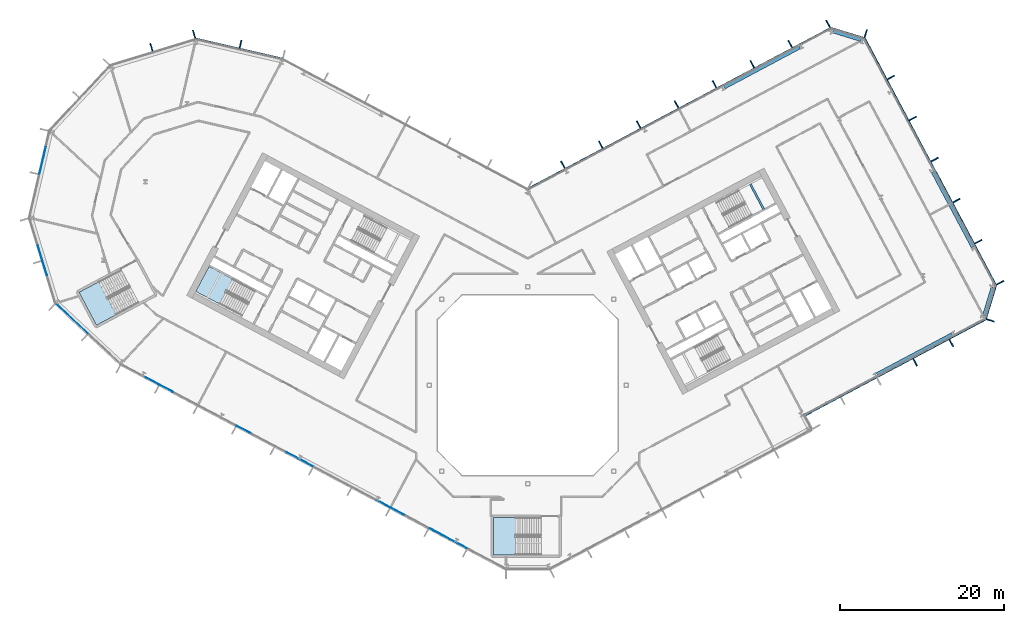
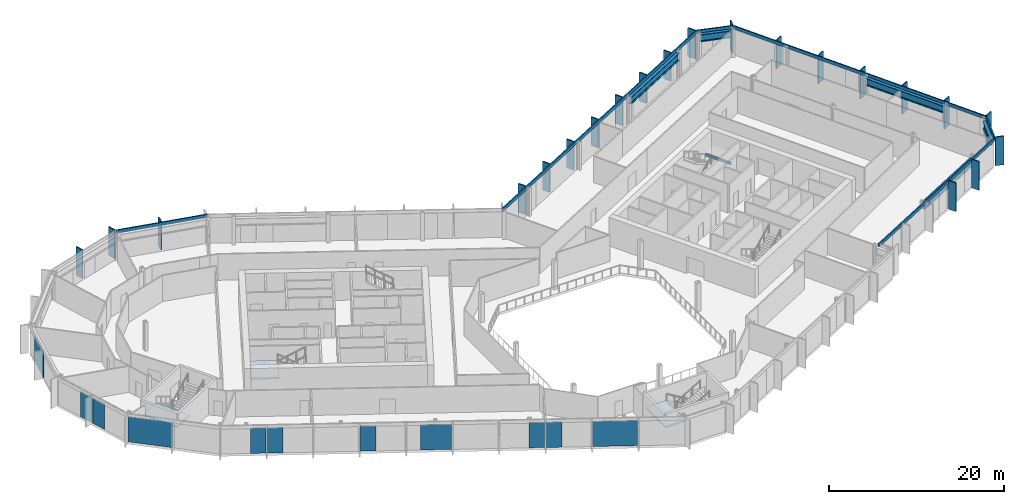
# One storey, part 10 of 28: 27 members, 11 plates, 6 beams, 3 slabs, 14 elements without a shape of their own.
"""IFC4 building model written with IfcOpenShell, lengths in metres."""

from ifc_helpers import new_model, si_unit, direction, frame, origin, origin_2d, place, context, subcontext, project, spatial, polyline, rectangle, i_section, outline, extrude, material, layer, layer_set, material_profile, profile_set, type_object, element, aggregate, save


model = new_model("IFC4")

# Units and contexts
model_context = context("Model", 3, precision=1e-05, world=origin(), true_north=direction((0.0, 1.0)))
body_context = subcontext(model_context, "Body", "Model", "MODEL_VIEW")
ifc_project = project(units=[si_unit("LENGTHUNIT", "METRE"), si_unit("AREAUNIT", "SQUARE_METRE"), si_unit("VOLUMEUNIT", "CUBIC_METRE"), si_unit("PLANEANGLEUNIT", "RADIAN"), si_unit("MASSUNIT", "GRAM", prefix="KILO")], contexts=[model_context])

# Site, building, storey
site_placement = place(None, origin())
site = spatial("IfcSite", under=ifc_project, at=site_placement, CompositionType="ELEMENT")
building_placement = place(site_placement, origin())
building = spatial("IfcBuilding", under=site, at=building_placement, Name="Cormorant Relay Tower", CompositionType="ELEMENT")
storey_placement = place(building_placement, frame((0.0, 0.0, 146.199951171875)))
storey = spatial("IfcBuildingStorey", under=building, at=storey_placement, Name="L30", CompositionType="ELEMENT", Elevation=146.199951171875)

# Curtain wall, members
ifc_material_1 = material(Name="Aluminium 6063-T6 anodised bronze", Category="aluminium")
ifc_layer_1 = layer(ifc_material_1, 0.199951171875)
ifc_layer_set_1 = layer_set([ifc_layer_1], Name="CW1 unitised bronze curtain wall with vertical fins")
curtain_wall_type = type_object("IfcCurtainWallType", Name="CW1 unitised bronze curtain wall with vertical fins", PredefinedType="NOTDEFINED", material=ifc_layer_set_1)
curtain_wall_1_placement = place(storey_placement, origin())
curtain_wall_1 = element("IfcCurtainWall", 1, at=curtain_wall_1_placement, inside=storey, type_object=curtain_wall_type, Name="CW1 curtain wall 4", PredefinedType="NOTDEFINED")
ifc_material_2 = material(Name="Aluminium 6063-T6 anodised bronze", Category="aluminium")
ifc_material_profile_1 = material_profile(ifc_material_2, rectangle(XDim=0.14990234375, YDim=1.0, at=origin_2d()), Name="AL 150x1000")
ifc_profile_set_1 = profile_set([ifc_material_profile_1], Name="Aluminium 6063-T6 anodised bronze")
member_type_1 = type_object("IfcMemberType", Name="CW1 bronze fin mullion 150 x 1000", PredefinedType="MULLION", material=ifc_profile_set_1)
member_1_placement = place(storey_placement, frame((47.21533203125, 2.793212890625, 0.0), z_axis=(0.0, 0.0, 1.0), x_axis=(0.882947592859, 0.469471562786, 0.0)))
member_1 = element("IfcMember", 2, at=member_1_placement, type_object=member_type_1, Name="CW1 fin 4.4", PredefinedType="MULLION", context=body_context, shape_type="SweptSolid", body=[
    extrude(rectangle(XDim=0.14990234375, YDim=1.0, at=origin_2d()), origin(), (0.0, 0.0, 1.0), 4.0),
])
member_2_placement = place(storey_placement, frame((51.630126953125, 5.140625, 0.0), z_axis=(0.0, 0.0, 1.0), x_axis=(0.882947592859, 0.469471562786, 0.0)))
member_2 = element("IfcMember", 3, at=member_2_placement, type_object=member_type_1, Name="CW1 fin 4.5", PredefinedType="MULLION", context=body_context, shape_type="SweptSolid", body=[
    extrude(rectangle(XDim=0.14990234375, YDim=1.0, at=origin_2d()), origin(), (0.0, 0.0, 1.0), 4.0),
])

# Curtain wall, member
curtain_wall_2_placement = place(storey_placement, origin())
curtain_wall_2 = element("IfcCurtainWall", 4, at=curtain_wall_2_placement, inside=storey, type_object=curtain_wall_type, Name="CW1 curtain wall 5", PredefinedType="NOTDEFINED")
member_3_placement = place(storey_placement, frame((56.385498046875, 7.9013671875, 0.0), z_axis=(0.0, 0.0, 1.0), x_axis=(0.292371704723, 0.956304755963, 0.0)))
member_3 = element("IfcMember", 5, at=member_3_placement, type_object=member_type_1, Name="CW1 fin 5.1", PredefinedType="MULLION", context=body_context, shape_type="SweptSolid", body=[
    extrude(rectangle(XDim=0.14990234375, YDim=1.0, at=origin_2d()), origin(), (0.0, 0.0, 1.0), 4.0),
])

# Curtain wall, members
curtain_wall_3_placement = place(storey_placement, origin())
curtain_wall_3 = element("IfcCurtainWall", 6, at=curtain_wall_3_placement, inside=storey, type_object=curtain_wall_type, Name="CW1 curtain wall 6", PredefinedType="NOTDEFINED")
member_4_placement = place(storey_placement, frame((57.57470703125, 12.491943359375, 0.0), z_axis=(0.0, 0.0, 1.0), x_axis=(-0.469471562786, 0.882947592859, 0.0)))
member_4 = element("IfcMember", 7, at=member_4_placement, type_object=member_type_1, Name="CW1 fin 6.1", PredefinedType="MULLION", context=body_context, shape_type="SweptSolid", body=[
    extrude(rectangle(XDim=0.14990234375, YDim=1.0, at=origin_2d()), origin(), (0.0, 0.0, 1.0), 4.0),
])
member_5_placement = place(storey_placement, frame((54.914306640625, 17.4951171875, 0.0), z_axis=(0.0, 0.0, 1.0), x_axis=(-0.469471562786, 0.882947592859, 0.0)))
member_5 = element("IfcMember", 8, at=member_5_placement, type_object=member_type_1, Name="CW1 fin 6.2", PredefinedType="MULLION", context=body_context, shape_type="SweptSolid", body=[
    extrude(rectangle(XDim=0.14990234375, YDim=1.0, at=origin_2d()), origin(), (0.0, 0.0, 1.0), 4.0),
])
member_6_placement = place(storey_placement, frame((52.25390625, 22.49853515625, 0.0), z_axis=(0.0, 0.0, 1.0), x_axis=(-0.469471562786, 0.882947592859, 0.0)))
member_6 = element("IfcMember", 9, at=member_6_placement, type_object=member_type_1, Name="CW1 fin 6.3", PredefinedType="MULLION", context=body_context, shape_type="SweptSolid", body=[
    extrude(rectangle(XDim=0.14990234375, YDim=1.0, at=origin_2d()), origin(), (0.0, 0.0, 1.0), 4.0),
])
member_7_placement = place(storey_placement, frame((49.59375, 27.501953125, 0.0), z_axis=(0.0, 0.0, 1.0), x_axis=(-0.469471562786, 0.882947592859, 0.0)))
member_7 = element("IfcMember", 10, at=member_7_placement, type_object=member_type_1, Name="CW1 fin 6.4", PredefinedType="MULLION", context=body_context, shape_type="SweptSolid", body=[
    extrude(rectangle(XDim=0.14990234375, YDim=1.0, at=origin_2d()), origin(), (0.0, 0.0, 1.0), 4.0),
])
member_8_placement = place(storey_placement, frame((46.933349609375, 32.50537109375, 0.0), z_axis=(0.0, 0.0, 1.0), x_axis=(-0.469471562786, 0.882947592859, 0.0)))
member_8 = element("IfcMember", 11, at=member_8_placement, type_object=member_type_1, Name="CW1 fin 6.5", PredefinedType="MULLION", context=body_context, shape_type="SweptSolid", body=[
    extrude(rectangle(XDim=0.14990234375, YDim=1.0, at=origin_2d()), origin(), (0.0, 0.0, 1.0), 4.0),
])
member_9_placement = place(storey_placement, frame((44.27294921875, 37.5087890625, 0.0), z_axis=(0.0, 0.0, 1.0), x_axis=(-0.469471562786, 0.882947592859, 0.0)))
member_9 = element("IfcMember", 12, at=member_9_placement, type_object=member_type_1, Name="CW1 fin 6.6", PredefinedType="MULLION", context=body_context, shape_type="SweptSolid", body=[
    extrude(rectangle(XDim=0.14990234375, YDim=1.0, at=origin_2d()), origin(), (0.0, 0.0, 1.0), 4.0),
])

# Curtain wall, member
curtain_wall_4_placement = place(storey_placement, origin())
curtain_wall_4 = element("IfcCurtainWall", 13, at=curtain_wall_4_placement, inside=storey, type_object=curtain_wall_type, Name="CW1 curtain wall 7", PredefinedType="NOTDEFINED")
member_10_placement = place(storey_placement, frame((41.19921875, 42.852783203125, 0.0), z_axis=(0.0, 0.0, 1.0), x_axis=(-0.956304755963, 0.292371704723, 0.0)))
member_10 = element("IfcMember", 14, at=member_10_placement, type_object=member_type_1, Name="CW1 fin 7.1", PredefinedType="MULLION", context=body_context, shape_type="SweptSolid", body=[
    extrude(rectangle(XDim=0.14990234375, YDim=1.0, at=origin_2d()), origin(), (0.0, 0.0, 1.0), 4.0),
])

# Curtain wall, members
curtain_wall_5_placement = place(storey_placement, origin())
curtain_wall_5 = element("IfcCurtainWall", 15, at=curtain_wall_5_placement, inside=storey, type_object=curtain_wall_type, Name="CW1 curtain wall 8", PredefinedType="NOTDEFINED")
member_11_placement = place(storey_placement, frame((36.608642578125, 44.0419921875, 0.0), z_axis=(0.0, 0.0, 1.0), x_axis=(-0.882947592859, -0.469471562786, 0.0)))
member_11 = element("IfcMember", 16, at=member_11_placement, type_object=member_type_1, Name="CW1 fin 8.1", PredefinedType="MULLION", context=body_context, shape_type="SweptSolid", body=[
    extrude(rectangle(XDim=0.14990234375, YDim=1.0, at=origin_2d()), origin(), (0.0, 0.0, 1.0), 4.0),
])
member_12_placement = place(storey_placement, frame((31.991455078125, 41.5869140625, 0.0), z_axis=(0.0, 0.0, 1.0), x_axis=(-0.882947592859, -0.469471562786, 0.0)))
member_12 = element("IfcMember", 17, at=member_12_placement, type_object=member_type_1, Name="CW1 fin 8.2", PredefinedType="MULLION", context=body_context, shape_type="SweptSolid", body=[
    extrude(rectangle(XDim=0.14990234375, YDim=1.0, at=origin_2d()), origin(), (0.0, 0.0, 1.0), 4.0),
])
member_13_placement = place(storey_placement, frame((27.37451171875, 39.132080078125, 0.0), z_axis=(0.0, 0.0, 1.0), x_axis=(-0.882947592859, -0.469471562786, 0.0)))
member_13 = element("IfcMember", 18, at=member_13_placement, type_object=member_type_1, Name="CW1 fin 8.3", PredefinedType="MULLION", context=body_context, shape_type="SweptSolid", body=[
    extrude(rectangle(XDim=0.14990234375, YDim=1.0, at=origin_2d()), origin(), (0.0, 0.0, 1.0), 4.0),
])
member_14_placement = place(storey_placement, frame((22.757080078125, 36.677001953125, 0.0), z_axis=(0.0, 0.0, 1.0), x_axis=(-0.882947592859, -0.469471562786, 0.0)))
member_14 = element("IfcMember", 19, at=member_14_placement, type_object=member_type_1, Name="CW1 fin 8.4", PredefinedType="MULLION", context=body_context, shape_type="SweptSolid", body=[
    extrude(rectangle(XDim=0.14990234375, YDim=1.0, at=origin_2d()), origin(), (0.0, 0.0, 1.0), 4.0),
])
member_15_placement = place(storey_placement, frame((18.139892578125, 34.221923828125, 0.0), z_axis=(0.0, 0.0, 1.0), x_axis=(-0.882947592859, -0.469471562786, 0.0)))
member_15 = element("IfcMember", 20, at=member_15_placement, type_object=member_type_1, Name="CW1 fin 8.5", PredefinedType="MULLION", context=body_context, shape_type="SweptSolid", body=[
    extrude(rectangle(XDim=0.14990234375, YDim=1.0, at=origin_2d()), origin(), (0.0, 0.0, 1.0), 4.0),
])
member_16_placement = place(storey_placement, frame((13.52294921875, 31.76708984375, 0.0), z_axis=(0.0, 0.0, 1.0), x_axis=(-0.882947592859, -0.469471562786, 0.0)))
member_16 = element("IfcMember", 21, at=member_16_placement, type_object=member_type_1, Name="CW1 fin 8.6", PredefinedType="MULLION", context=body_context, shape_type="SweptSolid", body=[
    extrude(rectangle(XDim=0.14990234375, YDim=1.0, at=origin_2d()), origin(), (0.0, 0.0, 1.0), 4.0),
])
member_17_placement = place(storey_placement, frame((8.90576171875, 29.31201171875, 0.0), z_axis=(0.0, 0.0, 1.0), x_axis=(-0.882947592859, -0.469471562786, 0.0)))
member_17 = element("IfcMember", 22, at=member_17_placement, type_object=member_type_1, Name="CW1 fin 8.7", PredefinedType="MULLION", context=body_context, shape_type="SweptSolid", body=[
    extrude(rectangle(XDim=0.14990234375, YDim=1.0, at=origin_2d()), origin(), (0.0, 0.0, 1.0), 4.0),
])
member_18_placement = place(storey_placement, frame((4.28857421875, 26.85693359375, 0.0), z_axis=(0.0, 0.0, 1.0), x_axis=(-0.882947592859, -0.469471562786, 0.0)))
member_18 = element("IfcMember", 23, at=member_18_placement, type_object=member_type_1, Name="CW1 fin 8.8", PredefinedType="MULLION", context=body_context, shape_type="SweptSolid", body=[
    extrude(rectangle(XDim=0.14990234375, YDim=1.0, at=origin_2d()), origin(), (0.0, 0.0, 1.0), 4.0),
])

# Curtain wall, member
curtain_wall_6_placement = place(storey_placement, origin())
curtain_wall_6 = element("IfcCurtainWall", 24, at=curtain_wall_6_placement, inside=storey, type_object=curtain_wall_type, Name="CW1 curtain wall 10", PredefinedType="NOTDEFINED")
member_19_placement = place(storey_placement, frame((-35.01220703125, 41.57275390625, 0.0), z_axis=(0.0, 0.0, 1.0), x_axis=(-0.974370064785, 0.224951054344, 0.0)))
member_19 = element("IfcMember", 25, at=member_19_placement, type_object=member_type_1, Name="CW1 fin 10.2", PredefinedType="MULLION", context=body_context, shape_type="SweptSolid", body=[
    extrude(rectangle(XDim=0.14990234375, YDim=1.0, at=origin_2d()), origin(), (0.0, 0.0, 1.0), 4.0),
])

# Curtain wall, members
curtain_wall_7_placement = place(storey_placement, origin())
curtain_wall_7 = element("IfcCurtainWall", 26, at=curtain_wall_7_placement, inside=storey, type_object=curtain_wall_type, Name="CW1 curtain wall 11", PredefinedType="NOTDEFINED")
member_20_placement = place(storey_placement, frame((-40.670166015625, 42.78271484375, 0.0), z_axis=(0.0, 0.0, 1.0), x_axis=(-0.956304755963, -0.292371704723, 0.0)))
member_20 = element("IfcMember", 27, at=member_20_placement, type_object=member_type_1, Name="CW1 fin 11.1", PredefinedType="MULLION", context=body_context, shape_type="SweptSolid", body=[
    extrude(rectangle(XDim=0.14990234375, YDim=1.0, at=origin_2d()), origin(), (0.0, 0.0, 1.0), 4.0),
])
member_21_placement = place(storey_placement, frame((-45.867919921875, 41.193603515625, 0.0), z_axis=(0.0, 0.0, 1.0), x_axis=(-0.956304755963, -0.292371704723, 0.0)))
member_21 = element("IfcMember", 28, at=member_21_placement, type_object=member_type_1, Name="CW1 fin 11.2", PredefinedType="MULLION", context=body_context, shape_type="SweptSolid", body=[
    extrude(rectangle(XDim=0.14990234375, YDim=1.0, at=origin_2d()), origin(), (0.0, 0.0, 1.0), 4.0),
])
aggregate(curtain_wall_7, [member_20, member_21])

# Member
ifc_material_3 = material(Name="Aluminium 6063-T6 anodised bronze", Category="aluminium")
ifc_material_profile_2 = material_profile(ifc_material_3, rectangle(XDim=0.159912109375, YDim=0.449951171875, at=origin_2d()), Name="AL 160x450")
ifc_profile_set_2 = profile_set([ifc_material_profile_2], Name="Aluminium 6063-T6 anodised bronze")
member_type_2 = type_object("IfcMemberType", Name="CW1 bronze transom 160 x 450", PredefinedType="USERDEFINED", material=ifc_profile_set_2)
member_22_placement = place(storey_placement, frame((33.69873046875, -3.73681640625, 3.775146484375), z_axis=(0.88294749795, 0.469471741284, 0.0), x_axis=(-0.469471741284, 0.88294749795, 0.0)))
member_22 = element("IfcMember", 29, at=member_22_placement, type_object=member_type_2, Name="CW1 transom 4", ObjectType="TRANSOM", PredefinedType="USERDEFINED", context=body_context, shape_type="SweptSolid", body=[
    extrude(rectangle(XDim=0.159912109375, YDim=0.449951171875, at=origin_2d()), origin(), (0.0, 0.0, 1.0), 25.0),
])

aggregate(curtain_wall_1, [member_1, member_2, member_22])

member_23_placement = place(storey_placement, frame((55.830810546875, 8.07080078125, 3.775146484375), z_axis=(0.292374957137, 0.956303761594, 0.0), x_axis=(-0.956303761594, 0.292374957137, 0.0)))
member_23 = element("IfcMember", 30, at=member_23_placement, type_object=member_type_2, Name="CW1 transom 5", ObjectType="TRANSOM", PredefinedType="USERDEFINED", context=body_context, shape_type="SweptSolid", body=[
    extrude(rectangle(XDim=0.159912109375, YDim=0.449951171875, at=origin_2d()), origin(), (0.0, 0.0, 1.0), 4.24267578125),
])

aggregate(curtain_wall_2, [member_3, member_23])

member_24_placement = place(storey_placement, frame((57.0625, 12.219482421875, 3.775146484375), z_axis=(-0.469468277635, 0.882949339597, 0.0), x_axis=(-0.882949339597, -0.469468277635, 0.0)))
member_24 = element("IfcMember", 31, at=member_24_placement, type_object=member_type_2, Name="CW1 transom 6", ObjectType="TRANSOM", PredefinedType="USERDEFINED", context=body_context, shape_type="SweptSolid", body=[
    extrude(rectangle(XDim=0.159912109375, YDim=0.449951171875, at=origin_2d()), origin(), (0.0, 0.0, 1.0), 34.0),
])

aggregate(curtain_wall_3, [member_4, member_5, member_6, member_7, member_8, member_9, member_24])

member_25_placement = place(storey_placement, frame((41.02978515625, 42.298095703125, 3.775146484375), z_axis=(-0.956303761594, 0.292374957137, 0.0), x_axis=(-0.292374957137, -0.956303761594, 0.0)))
member_25 = element("IfcMember", 32, at=member_25_placement, type_object=member_type_2, Name="CW1 transom 7", ObjectType="TRANSOM", PredefinedType="USERDEFINED", context=body_context, shape_type="SweptSolid", body=[
    extrude(rectangle(XDim=0.159912109375, YDim=0.449951171875, at=origin_2d()), origin(), (0.0, 0.0, 1.0), 4.24267578125),
])

aggregate(curtain_wall_4, [member_10, member_25])

member_26_placement = place(storey_placement, frame((36.881103515625, 43.52978515625, 3.775146484375), z_axis=(-0.88294882701, -0.469469241677, 0.0), x_axis=(0.469469241677, -0.88294882701, 0.0)))
member_26 = element("IfcMember", 33, at=member_26_placement, type_object=member_type_2, Name="CW1 transom 8", ObjectType="TRANSOM", PredefinedType="USERDEFINED", context=body_context, shape_type="SweptSolid", body=[
    extrude(rectangle(XDim=0.159912109375, YDim=0.449951171875, at=origin_2d()), origin(), (0.0, 0.0, 1.0), 41.834228515625),
])

aggregate(curtain_wall_5, [member_11, member_12, member_13, member_14, member_15, member_16, member_17, member_18, member_26])

member_27_placement = place(storey_placement, frame((-29.8466796875, 39.784912109375, 3.775146484375), z_axis=(-0.974365070969, 0.224972683844, 0.0), x_axis=(-0.224972683844, -0.974365070969, 0.0)))
member_27 = element("IfcMember", 34, at=member_27_placement, type_object=member_type_2, Name="CW1 transom 10", ObjectType="TRANSOM", PredefinedType="USERDEFINED", context=body_context, shape_type="SweptSolid", body=[
    extrude(rectangle(XDim=0.159912109375, YDim=0.449951171875, at=origin_2d()), origin(), (0.0, 0.0, 1.0), 10.870361328125),
])

aggregate(curtain_wall_6, [member_19, member_27])

# Beams
ifc_material_4 = material(Name="Steel ASTM A992 (Fy 345 MPa)", Category="steel")
ifc_material_profile_3 = material_profile(ifc_material_4, i_section(OverallWidth=0.4013671875, OverallDepth=1.000732421875, WebThickness=0.01904296875, FlangeThickness=0.0361328125, FilletRadius=0.02978515625, at=origin_2d()), Name="W1000x371")
ifc_profile_set_3 = profile_set([ifc_material_profile_3], Name="Steel ASTM A992 (Fy 345 MPa)")
beam_type_1 = type_object("IfcBeamType", Name="Spandrel W1000x371", PredefinedType="SPANDREL", material=ifc_profile_set_3)
beam_1_placement = place(storey_placement, frame((42.5595703125, 1.337890625, 3.1396484375), z_axis=(0.882955922346, 0.469455896963, 0.0), x_axis=(-0.469455896963, 0.882955922346, 0.0)))
element("IfcBeam", 35, at=beam_1_placement, inside=storey, type_object=beam_type_1, Name="Spandrel beam L30-004", PredefinedType="SPANDREL", context=body_context, shape_type="SweptSolid", body=[
    extrude(i_section(OverallWidth=0.4013671875, OverallDepth=1.000732421875, WebThickness=0.01904296875, FlangeThickness=0.0361328125, FilletRadius=0.02978515625, at=origin_2d()), origin(), (0.0, 0.0, 1.0), 10.388427734375),
])
beam_2_placement = place(storey_placement, frame((55.62548828125, 8.495849609375, 3.1396484375), z_axis=(0.29237248799, 0.956304516494, 0.0), x_axis=(-0.956304516494, 0.29237248799, 0.0)))
element("IfcBeam", 36, at=beam_2_placement, inside=storey, type_object=beam_type_1, Name="Spandrel beam L30-005", PredefinedType="SPANDREL", context=body_context, shape_type="SweptSolid", body=[
    extrude(i_section(OverallWidth=0.4013671875, OverallDepth=1.000732421875, WebThickness=0.01904296875, FlangeThickness=0.0361328125, FilletRadius=0.02978515625, at=origin_2d()), origin(), (0.0, 0.0, 1.0), 3.585693359375),
])
beam_3_placement = place(storey_placement, frame((54.24169921875, 16.841796875, 3.1396484375), z_axis=(-0.469474218299, 0.882946180893, 0.0), x_axis=(-0.882946180893, -0.469474218299, 0.0)))
element("IfcBeam", 37, at=beam_3_placement, inside=storey, type_object=beam_type_1, Name="Spandrel beam L30-006", PredefinedType="SPANDREL", context=body_context, shape_type="SweptSolid", body=[
    extrude(i_section(OverallWidth=0.4013671875, OverallDepth=1.000732421875, WebThickness=0.01904296875, FlangeThickness=0.0361328125, FilletRadius=0.02978515625, at=origin_2d()), origin(), (0.0, 0.0, 1.0), 10.388671875),
])
beam_4_placement = place(storey_placement, frame((40.605224609375, 42.0927734375, 3.1396484375), z_axis=(-0.956311914022, 0.292348290742, 0.0), x_axis=(-0.292348290742, -0.956311914022, 0.0)))
element("IfcBeam", 38, at=beam_4_placement, inside=storey, type_object=beam_type_1, Name="Spandrel beam L30-007", PredefinedType="SPANDREL", context=body_context, shape_type="SweptSolid", body=[
    extrude(i_section(OverallWidth=0.4013671875, OverallDepth=1.000732421875, WebThickness=0.01904296875, FlangeThickness=0.0361328125, FilletRadius=0.02978515625, at=origin_2d()), origin(), (0.0, 0.0, 1.0), 3.585205078125),
])
beam_5_placement = place(storey_placement, frame((33.141357421875, 41.17822265625, 3.1396484375), z_axis=(-0.882955922346, -0.469455896963, 0.0), x_axis=(0.469455896963, -0.882955922346, 0.0)))
element("IfcBeam", 39, at=beam_5_placement, inside=storey, type_object=beam_type_1, Name="Spandrel beam L30-008", PredefinedType="SPANDREL", context=body_context, shape_type="SweptSolid", body=[
    extrude(i_section(OverallWidth=0.4013671875, OverallDepth=1.000732421875, WebThickness=0.01904296875, FlangeThickness=0.0361328125, FilletRadius=0.02978515625, at=origin_2d()), origin(), (0.0, 0.0, 1.0), 10.388427734375),
])
ifc_material_5 = material(Name="Concrete 50 MPa", Category="concrete")
ifc_material_profile_4 = material_profile(ifc_material_5, rectangle(XDim=0.25, YDim=0.300048828125, at=origin_2d()), Name="RC 250x300")
ifc_profile_set_4 = profile_set([ifc_material_profile_4], Name="Concrete 50 MPa")
beam_type_2 = type_object("IfcBeamType", Name="Stair landing ledge beam 250x300", PredefinedType="BEAM", material=ifc_profile_set_4)
beam_6_placement = place(storey_placement, frame((28.755126953125, 21.4619140625, 1.650146484375), z_axis=(-0.469463917486, 0.882951657895, 0.0), x_axis=(-0.882951657895, -0.469463917486, 0.0)))
element("IfcBeam", 40, at=beam_6_placement, inside=storey, type_object=beam_type_2, Name="B2 landing ledge beam", PredefinedType="BEAM", context=body_context, shape_type="SweptSolid", body=[
    extrude(rectangle(XDim=0.25, YDim=0.300048828125, at=origin_2d()), origin(), (0.0, 0.0, 1.0), 3.449951171875),
])

# Curtain wall, plates
curtain_wall_8_placement = place(storey_placement, origin())
curtain_wall_8 = element("IfcCurtainWall", 41, at=curtain_wall_8_placement, inside=storey, type_object=curtain_wall_type, Name="CW1 curtain wall 14", PredefinedType="NOTDEFINED")
ifc_material_6 = material(Name="Tinted laminated glass", Category="glass")
ifc_layer_2 = layer(ifc_material_6, 0.0400390625)
ifc_layer_set_2 = layer_set([ifc_layer_2], Name="CW1 tinted vision panel 1800 module")
plate_type_1 = type_object("IfcPlateType", Name="CW1 tinted vision panel 1800 module", PredefinedType="CURTAIN_PANEL", material=ifc_layer_set_2)
plate_1_placement = place(storey_placement, frame((-59.434814453125, 16.122314453125, 0.0), z_axis=(0.0, 0.0, 1.0), x_axis=(0.292371704723, -0.956304755963, 0.0)))
plate_1 = element("IfcPlate", 42, at=plate_1_placement, type_object=plate_type_1, Name="CW1 panel V01", PredefinedType="CURTAIN_PANEL", context=body_context, shape_type="SweptSolid", body=[
    extrude(rectangle(XDim=1.800048828125, YDim=0.0400390625, at=origin_2d()), origin(), (0.0, 0.0, 1.0), 3.550048828125),
])
plate_2_placement = place(storey_placement, frame((-58.86474609375, 14.25732421875, 0.0), z_axis=(0.0, 0.0, 1.0), x_axis=(0.292371704723, -0.956304755963, 0.0)))
plate_2 = element("IfcPlate", 43, at=plate_2_placement, type_object=plate_type_1, Name="CW1 panel V02", PredefinedType="CURTAIN_PANEL", context=body_context, shape_type="SweptSolid", body=[
    extrude(rectangle(XDim=1.800048828125, YDim=0.0400390625, at=origin_2d()), origin(), (0.0, 0.0, 1.0), 3.550048828125),
])
aggregate(curtain_wall_8, [plate_1, plate_2])

curtain_wall_9_placement = place(storey_placement, origin())
curtain_wall_9 = element("IfcCurtainWall", 44, at=curtain_wall_9_placement, inside=storey, type_object=curtain_wall_type, Name="CW1 curtain wall 16", PredefinedType="NOTDEFINED")
plate_3_placement = place(storey_placement, frame((-45.767578125, 0.5283203125, 0.0), z_axis=(0.0, 0.0, 1.0), x_axis=(0.882947592859, -0.469471562786, 0.0)))
plate_3 = element("IfcPlate", 45, at=plate_3_placement, type_object=plate_type_1, Name="CW1 panel V01", PredefinedType="CURTAIN_PANEL", context=body_context, shape_type="SweptSolid", body=[
    extrude(rectangle(XDim=1.800048828125, YDim=0.0400390625, at=origin_2d()), origin(), (0.0, 0.0, 1.0), 3.550048828125),
])
plate_4_placement = place(storey_placement, frame((-44.0458984375, -0.38720703125, 0.0), z_axis=(0.0, 0.0, 1.0), x_axis=(0.882947592859, -0.469471562786, 0.0)))
plate_4 = element("IfcPlate", 46, at=plate_4_placement, type_object=plate_type_1, Name="CW1 panel V02", PredefinedType="CURTAIN_PANEL", context=body_context, shape_type="SweptSolid", body=[
    extrude(rectangle(XDim=1.800048828125, YDim=0.0400390625, at=origin_2d()), origin(), (0.0, 0.0, 1.0), 3.550048828125),
])
plate_5_placement = place(storey_placement, frame((-34.6572265625, -5.37890625, 0.0), z_axis=(0.0, 0.0, 1.0), x_axis=(0.882947592859, -0.469471562786, 0.0)))
plate_5 = element("IfcPlate", 47, at=plate_5_placement, type_object=plate_type_1, Name="CW1 panel V04", PredefinedType="CURTAIN_PANEL", context=body_context, shape_type="SweptSolid", body=[
    extrude(rectangle(XDim=1.800048828125, YDim=0.0400390625, at=origin_2d()), origin(), (0.0, 0.0, 1.0), 3.550048828125),
])
plate_6_placement = place(storey_placement, frame((-17.601806640625, -14.447509765625, 0.0), z_axis=(0.0, 0.0, 1.0), x_axis=(0.882947592859, -0.469471562786, 0.0)))
plate_6 = element("IfcPlate", 48, at=plate_6_placement, type_object=plate_type_1, Name="CW1 panel V08", PredefinedType="CURTAIN_PANEL", context=body_context, shape_type="SweptSolid", body=[
    extrude(rectangle(XDim=1.800048828125, YDim=0.0400390625, at=origin_2d()), origin(), (0.0, 0.0, 1.0), 3.550048828125),
])
plate_7_placement = place(storey_placement, frame((-15.880126953125, -15.363037109375, 0.0), z_axis=(0.0, 0.0, 1.0), x_axis=(0.882947592859, -0.469471562786, 0.0)))
plate_7 = element("IfcPlate", 49, at=plate_7_placement, type_object=plate_type_1, Name="CW1 panel V09", PredefinedType="CURTAIN_PANEL", context=body_context, shape_type="SweptSolid", body=[
    extrude(rectangle(XDim=1.800048828125, YDim=0.0400390625, at=origin_2d()), origin(), (0.0, 0.0, 1.0), 3.550048828125),
])

# Curtain wall, plate
curtain_wall_10_placement = place(storey_placement, origin())
curtain_wall_10 = element("IfcCurtainWall", 50, at=curtain_wall_10_placement, inside=storey, type_object=curtain_wall_type, Name="CW1 curtain wall 13", PredefinedType="NOTDEFINED")
ifc_material_7 = material(Name="Tinted laminated glass", Category="glass")
ifc_layer_3 = layer(ifc_material_7, 0.0400390625)
ifc_layer_set_3 = layer_set([ifc_layer_3], Name="CW1 tinted vision panel 3600 module")
plate_type_2 = type_object("IfcPlateType", Name="CW1 tinted vision panel 3600 module", PredefinedType="CURTAIN_PANEL", material=ifc_layer_set_3)
plate_8_placement = place(storey_placement, frame((-59.094970703125, 27.520751953125, 0.0), z_axis=(0.0, 0.0, 1.0), x_axis=(-0.224951054344, -0.974370064785, 0.0)))
plate_8 = element("IfcPlate", 51, at=plate_8_placement, type_object=plate_type_2, Name="CW1 panel V01", PredefinedType="CURTAIN_PANEL", context=body_context, shape_type="SweptSolid", body=[
    extrude(rectangle(XDim=3.60009765625, YDim=0.0400390625, at=origin_2d()), origin(), (0.0, 0.0, 1.0), 3.550048828125),
])
aggregate(curtain_wall_10, [plate_8])

# Plate
plate_9_placement = place(storey_placement, frame((-27.78515625, -9.032958984375, 0.0), z_axis=(0.0, 0.0, 1.0), x_axis=(0.882947592859, -0.469471562786, 0.0)))
plate_9 = element("IfcPlate", 52, at=plate_9_placement, type_object=plate_type_2, Name="CW1 panel V06", PredefinedType="CURTAIN_PANEL", context=body_context, shape_type="SweptSolid", body=[
    extrude(rectangle(XDim=3.60009765625, YDim=0.0400390625, at=origin_2d()), origin(), (0.0, 0.0, 1.0), 3.550048828125),
])

# Curtain wall, plate
curtain_wall_11_placement = place(storey_placement, origin())
curtain_wall_11 = element("IfcCurtainWall", 53, at=curtain_wall_11_placement, inside=storey, type_object=curtain_wall_type, Name="CW1 curtain wall 15", PredefinedType="NOTDEFINED")
ifc_material_8 = material(Name="Tinted laminated glass", Category="glass")
ifc_layer_4 = layer(ifc_material_8, 0.0400390625)
ifc_layer_set_4 = layer_set([ifc_layer_4], Name="CW1 tinted vision panel 5400 module")
plate_type_3 = type_object("IfcPlateType", Name="CW1 tinted vision panel 5400 module", PredefinedType="CURTAIN_PANEL", material=ifc_layer_set_4)
plate_10_placement = place(storey_placement, frame((-55.56787109375, 8.1298828125, 0.0), z_axis=(0.0, 0.0, 1.0), x_axis=(0.731353701619, -0.681998360062, 0.0)))
plate_10 = element("IfcPlate", 54, at=plate_10_placement, type_object=plate_type_3, Name="CW1 panel V00", PredefinedType="CURTAIN_PANEL", context=body_context, shape_type="SweptSolid", body=[
    extrude(rectangle(XDim=5.28515625, YDim=0.0400390625, at=origin_2d()), origin(), (0.0, 0.0, 1.0), 3.550048828125),
])
aggregate(curtain_wall_11, [plate_10])

# Plate
plate_11_placement = place(storey_placement, frame((-9.69970703125, -18.649169921875, 0.0), z_axis=(0.0, 0.0, 1.0), x_axis=(0.882947592859, -0.469471562786, 0.0)))
plate_11 = element("IfcPlate", 55, at=plate_11_placement, type_object=plate_type_3, Name="CW1 panel V11", PredefinedType="CURTAIN_PANEL", context=body_context, shape_type="SweptSolid", body=[
    extrude(rectangle(XDim=5.16650390625, YDim=0.0400390625, at=origin_2d()), origin(), (0.0, 0.0, 1.0), 3.550048828125),
])

aggregate(curtain_wall_9, [plate_3, plate_4, plate_5, plate_9, plate_6, plate_7, plate_11])

# Stair, slab
ifc_material_9 = material(Name="Concrete 40 MPa", Category="concrete")
stair_type_1 = type_object("IfcStairType", Name="Exit stair 1500", PredefinedType="HALF_TURN_STAIR", material=ifc_material_9)
stair_1_placement = place(storey_placement, origin())
stair_1 = element("IfcStair", 56, at=stair_1_placement, inside=storey, type_object=stair_type_1, Name="L30 Stair", PredefinedType="HALF_TURN_STAIR")
ifc_material_10 = material(Name="Concrete 40 MPa", Category="concrete")
ifc_layer_5 = layer(ifc_material_10, 0.199951171875)
ifc_layer_set_5 = layer_set([ifc_layer_5], Name="Exit stair landing 200")
slab_type = type_object("IfcSlabType", Name="Exit stair landing 200", PredefinedType="LANDING", material=ifc_layer_set_5)
slab_1_placement = place(storey_placement, frame((0.0, 0.0, 1.800048828125)))
slab_1 = element("IfcSlab", 57, at=slab_1_placement, type_object=slab_type, Name="A2 landing 1", PredefinedType="LANDING", context=body_context, shape_type="SweptSolid", body=[
    extrude(outline(polyline([(-35.96044921875, 12.947998046875), (-38.84765625, 14.483154296875), (-40.467529296875, 11.43701171875), (-37.580322265625, 9.90185546875), (-35.96044921875, 12.947998046875)])), origin(), (0.0, 0.0, 1.0), 0.199951171875),
])
aggregate(stair_1, [slab_1])

ifc_material_11 = material(Name="Concrete 40 MPa", Category="concrete")
stair_type_2 = type_object("IfcStairType", Name="Remote exit stair 2200", PredefinedType="HALF_TURN_STAIR", material=ifc_material_11)
stair_2_placement = place(storey_placement, origin())
stair_2 = element("IfcStair", 58, at=stair_2_placement, inside=storey, type_object=stair_type_2, Name="L30 Stair", PredefinedType="HALF_TURN_STAIR")
slab_2_placement = place(storey_placement, frame((0.0, 0.0, 1.800048828125)))
slab_2 = element("IfcSlab", 59, at=slab_2_placement, type_object=slab_type, Name="RK1 landing 1", PredefinedType="LANDING", context=body_context, shape_type="SweptSolid", body=[
    extrude(outline(polyline([(-1.47998046875, -16.125), (-4.199951171875, -16.125), (-4.199951171875, -20.675048828125), (-1.47998046875, -20.675048828125), (-1.47998046875, -16.125)])), origin(), (0.0, 0.0, 1.0), 0.199951171875),
])
aggregate(stair_2, [slab_2])

stair_3_placement = place(storey_placement, origin())
stair_3 = element("IfcStair", 60, at=stair_3_placement, inside=storey, type_object=stair_type_2, Name="L30 Stair", PredefinedType="HALF_TURN_STAIR")
slab_3_placement = place(storey_placement, frame((0.0, 0.0, 1.800048828125)))
slab_3 = element("IfcSlab", 61, at=slab_3_placement, type_object=slab_type, Name="RP1 landing 1", PredefinedType="LANDING", context=body_context, shape_type="SweptSolid", body=[
    extrude(outline(polyline([(-52.29833984375, 12.607666015625), (-54.699951171875, 11.330810546875), (-52.563720703125, 7.3134765625), (-50.162109375, 8.59033203125), (-52.29833984375, 12.607666015625)])), origin(), (0.0, 0.0, 1.0), 0.199951171875),
])
aggregate(stair_3, [slab_3])

save(model, "model.ifc")
